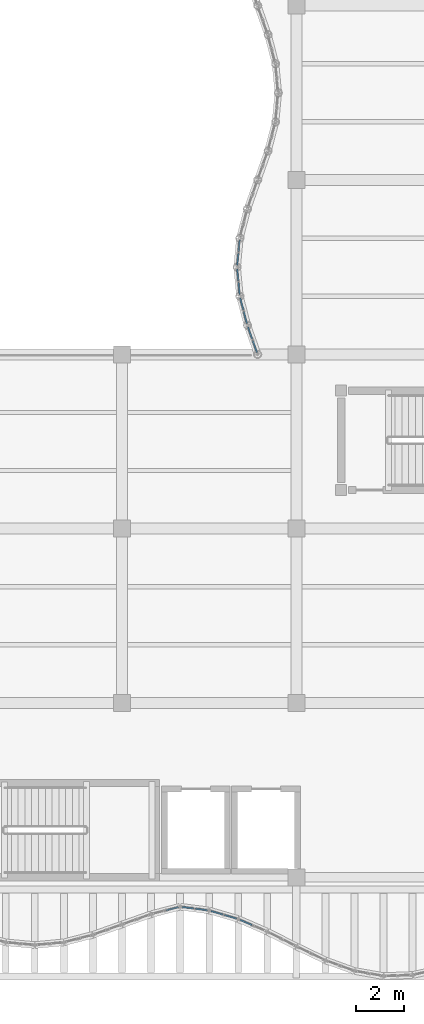
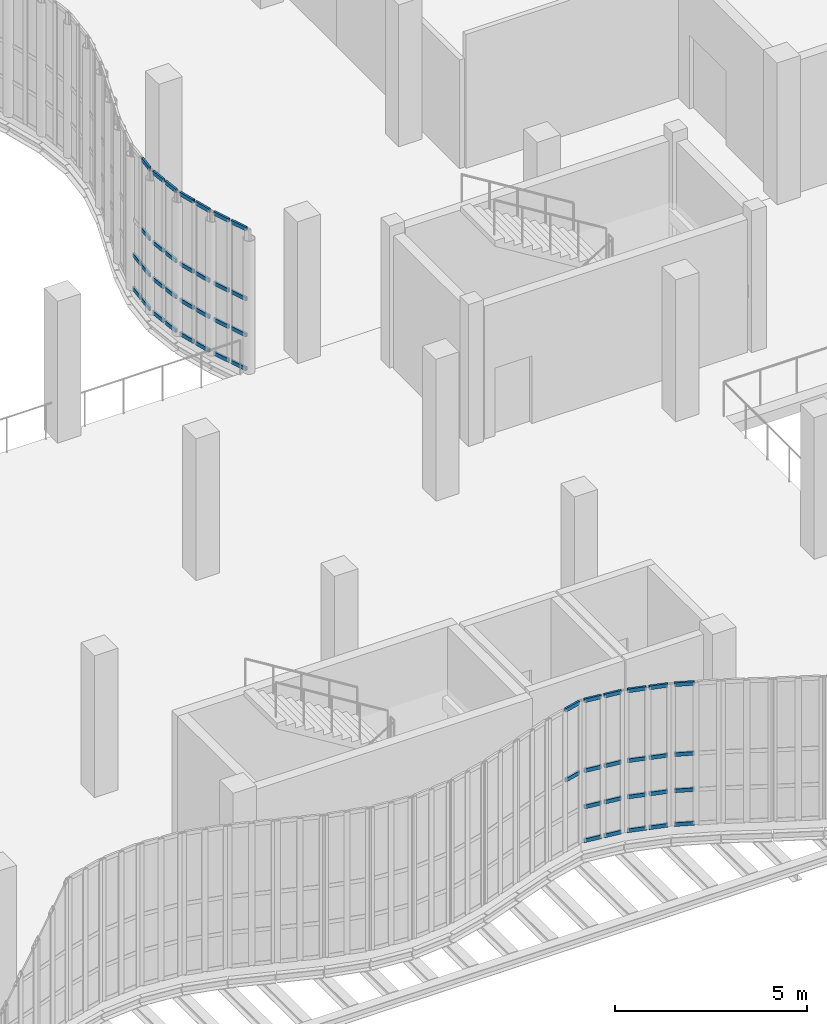
# One storey, part 51 of 108: 52 members, 8 elements without a shape of their own.
"""IFC4 building model written with IfcOpenShell, lengths in metres."""

from ifc_helpers import new_model, si_unit, direction, frame, origin, origin_2d, place, context, subcontext, project, spatial, hollow_rectangle, extrude, material, layer, layer_set, material_profile, profile_set, type_object, element, aggregate, save


model = new_model("IFC4")

# Units and contexts
model_context = context("Model", 3, precision=1e-05, world=origin(), true_north=direction((0.0, 1.0)))
body_context = subcontext(model_context, "Body", "Model", "MODEL_VIEW")
ifc_project = project(units=[si_unit("LENGTHUNIT", "METRE"), si_unit("AREAUNIT", "SQUARE_METRE"), si_unit("VOLUMEUNIT", "CUBIC_METRE"), si_unit("PLANEANGLEUNIT", "RADIAN"), si_unit("MASSUNIT", "GRAM", prefix="KILO"), si_unit("THERMODYNAMICTEMPERATUREUNIT", "KELVIN"), si_unit("POWERUNIT", "WATT")], contexts=[model_context])

# Site, building, storey
site_placement = place(None, origin())
site = spatial("IfcSite", under=ifc_project, at=site_placement, CompositionType="ELEMENT")
building_placement = place(site_placement, origin())
building = spatial("IfcBuilding", under=site, at=building_placement, Name="Kaldorven Railside Theatre", CompositionType="ELEMENT")
storey_placement = place(building_placement, frame((0.0, 0.0, 5.39990234375)))
storey = spatial("IfcBuildingStorey", under=building, at=storey_placement, Name="L01", CompositionType="ELEMENT", Elevation=5.39990234375)

# Curtain wall, members
ifc_material_1 = material(Name="Low-E laminated solar-control glass", Category="glass")
ifc_layer_1 = layer(ifc_material_1, 0.159912109375, Name="Low-E laminated solar-control glass")
ifc_layer_set_1 = layer_set([ifc_layer_1], Name="Low-E laminated solar-control glass")
curtain_wall_type_1 = type_object("IfcCurtainWallType", Name="CWT-02", PredefinedType="USERDEFINED", material=ifc_layer_set_1)
curtain_wall_1_placement = place(storey_placement, origin())
curtain_wall_1 = element("IfcCurtainWall", 1, at=curtain_wall_1_placement, inside=storey, type_object=curtain_wall_type_1, Name="Sinusoidal Fluted Curtain Wall CW-L01-S26", ObjectType="FLUTED GLAZING", PredefinedType="USERDEFINED")
ifc_material_2 = material(Name="Anodised bronze aluminium", Category="aluminium")
ifc_material_profile = material_profile(ifc_material_2, hollow_rectangle(XDim=0.06005859375, YDim=0.1201171875, WallThickness=0.0048828125, at=origin_2d()), Name="RHS 120x60x5")
ifc_profile_set = profile_set([ifc_material_profile], Name="Anodised bronze aluminium")
member_type = type_object("IfcMemberType", Name="CWT-120", PredefinedType="USERDEFINED", material=ifc_profile_set)
member_1_placement = place(storey_placement, frame((67.438720703125, 17.840576171875, 2.25), z_axis=(0.967979318949, 0.251029954561, 0.0), x_axis=(-0.251029954561, 0.967979318949, 0.0)))
member_1 = element("IfcMember", 2, at=member_1_placement, type_object=member_type, Name="CW-L01-S26 transom 2.3", ObjectType="TRANSOM", PredefinedType="USERDEFINED", context=body_context, shape_type="SweptSolid", body=[
    extrude(hollow_rectangle(XDim=0.06005859375, YDim=0.1201171875, WallThickness=0.0048828125, at=origin_2d()), origin(), (0.0, 0.0, 1.0), 0.5),
])
member_2_placement = place(storey_placement, frame((67.438720703125, 17.840576171875, 4.47021484375), z_axis=(0.967979318949, 0.251029954561, 0.0), x_axis=(-0.251029954561, 0.967979318949, 0.0)))
member_2 = element("IfcMember", 3, at=member_2_placement, type_object=member_type, Name="CW-L01-S26 transom 2.4", ObjectType="TRANSOM", PredefinedType="USERDEFINED", context=body_context, shape_type="SweptSolid", body=[
    extrude(hollow_rectangle(XDim=0.06005859375, YDim=0.1201171875, WallThickness=0.0048828125, at=origin_2d()), origin(), (0.0, 0.0, 1.0), 0.5),
])
aggregate(curtain_wall_1, [member_1, member_2])

ifc_layer_2 = layer(ifc_material_1, 0.159912109375, Name="Low-E laminated solar-control glass")
ifc_layer_set_2 = layer_set([ifc_layer_2], Name="Low-E laminated solar-control glass")
curtain_wall_type_2 = type_object("IfcCurtainWallType", Name="CWT-03", PredefinedType="USERDEFINED", material=ifc_layer_set_2)
curtain_wall_2_placement = place(storey_placement, origin())
curtain_wall_2 = element("IfcCurtainWall", 4, at=curtain_wall_2_placement, inside=storey, type_object=curtain_wall_type_2, Name="Sinusoidal Fluted Curtain Wall CW-L01-S27", ObjectType="FLUTED GLAZING", PredefinedType="USERDEFINED")
member_3_placement = place(storey_placement, frame((68.079345703125, 17.975830078125, 0.030029296875), z_axis=(0.991662051315, -0.128865728496, 0.0), x_axis=(0.128865728496, 0.991662051315, 0.0)))
member_3 = element("IfcMember", 5, at=member_3_placement, type_object=member_type, Name="CW-L01-S27 transom 1.1", ObjectType="TRANSOM", PredefinedType="USERDEFINED", context=body_context, shape_type="SweptSolid", body=[
    extrude(hollow_rectangle(XDim=0.06005859375, YDim=0.1201171875, WallThickness=0.0048828125, at=origin_2d()), origin(), (0.0, 0.0, 1.0), 0.485107421875),
])
member_4_placement = place(storey_placement, frame((68.079345703125, 17.975830078125, 1.10009765625), z_axis=(0.991662051315, -0.128865728496, 0.0), x_axis=(0.128865728496, 0.991662051315, 0.0)))
member_4 = element("IfcMember", 6, at=member_4_placement, type_object=member_type, Name="CW-L01-S27 transom 1.2", ObjectType="TRANSOM", PredefinedType="USERDEFINED", context=body_context, shape_type="SweptSolid", body=[
    extrude(hollow_rectangle(XDim=0.06005859375, YDim=0.1201171875, WallThickness=0.0048828125, at=origin_2d()), origin(), (0.0, 0.0, 1.0), 0.485107421875),
])
member_5_placement = place(storey_placement, frame((68.079345703125, 17.975830078125, 2.25), z_axis=(0.991662051315, -0.128865728496, 0.0), x_axis=(0.128865728496, 0.991662051315, 0.0)))
member_5 = element("IfcMember", 7, at=member_5_placement, type_object=member_type, Name="CW-L01-S27 transom 1.3", ObjectType="TRANSOM", PredefinedType="USERDEFINED", context=body_context, shape_type="SweptSolid", body=[
    extrude(hollow_rectangle(XDim=0.06005859375, YDim=0.1201171875, WallThickness=0.0048828125, at=origin_2d()), origin(), (0.0, 0.0, 1.0), 0.485107421875),
])
member_6_placement = place(storey_placement, frame((68.079345703125, 17.975830078125, 4.47021484375), z_axis=(0.991662051315, -0.128865728496, 0.0), x_axis=(0.128865728496, 0.991662051315, 0.0)))
member_6 = element("IfcMember", 8, at=member_6_placement, type_object=member_type, Name="CW-L01-S27 transom 1.4", ObjectType="TRANSOM", PredefinedType="USERDEFINED", context=body_context, shape_type="SweptSolid", body=[
    extrude(hollow_rectangle(XDim=0.06005859375, YDim=0.1201171875, WallThickness=0.0048828125, at=origin_2d()), origin(), (0.0, 0.0, 1.0), 0.485107421875),
])
member_7_placement = place(storey_placement, frame((68.6396484375, 17.903076171875, 0.030029296875), z_axis=(0.991662051315, -0.128865728496, 0.0), x_axis=(0.128865728496, 0.991662051315, 0.0)))
member_7 = element("IfcMember", 9, at=member_7_placement, type_object=member_type, Name="CW-L01-S27 transom 2.1", ObjectType="TRANSOM", PredefinedType="USERDEFINED", context=body_context, shape_type="SweptSolid", body=[
    extrude(hollow_rectangle(XDim=0.06005859375, YDim=0.1201171875, WallThickness=0.0048828125, at=origin_2d()), origin(), (0.0, 0.0, 1.0), 0.485107421875),
])
member_8_placement = place(storey_placement, frame((68.6396484375, 17.903076171875, 1.10009765625), z_axis=(0.991662051315, -0.128865728496, 0.0), x_axis=(0.128865728496, 0.991662051315, 0.0)))
member_8 = element("IfcMember", 10, at=member_8_placement, type_object=member_type, Name="CW-L01-S27 transom 2.2", ObjectType="TRANSOM", PredefinedType="USERDEFINED", context=body_context, shape_type="SweptSolid", body=[
    extrude(hollow_rectangle(XDim=0.06005859375, YDim=0.1201171875, WallThickness=0.0048828125, at=origin_2d()), origin(), (0.0, 0.0, 1.0), 0.485107421875),
])
member_9_placement = place(storey_placement, frame((68.6396484375, 17.903076171875, 2.25), z_axis=(0.991662051315, -0.128865728496, 0.0), x_axis=(0.128865728496, 0.991662051315, 0.0)))
member_9 = element("IfcMember", 11, at=member_9_placement, type_object=member_type, Name="CW-L01-S27 transom 2.3", ObjectType="TRANSOM", PredefinedType="USERDEFINED", context=body_context, shape_type="SweptSolid", body=[
    extrude(hollow_rectangle(XDim=0.06005859375, YDim=0.1201171875, WallThickness=0.0048828125, at=origin_2d()), origin(), (0.0, 0.0, 1.0), 0.485107421875),
])
member_10_placement = place(storey_placement, frame((68.6396484375, 17.903076171875, 4.47021484375), z_axis=(0.991662051315, -0.128865728496, 0.0), x_axis=(0.128865728496, 0.991662051315, 0.0)))
member_10 = element("IfcMember", 12, at=member_10_placement, type_object=member_type, Name="CW-L01-S27 transom 2.4", ObjectType="TRANSOM", PredefinedType="USERDEFINED", context=body_context, shape_type="SweptSolid", body=[
    extrude(hollow_rectangle(XDim=0.06005859375, YDim=0.1201171875, WallThickness=0.0048828125, at=origin_2d()), origin(), (0.0, 0.0, 1.0), 0.485107421875),
])
aggregate(curtain_wall_2, [member_3, member_4, member_5, member_6, member_7, member_8, member_9, member_10])

ifc_layer_3 = layer(ifc_material_1, 0.159912109375, Name="Low-E laminated solar-control glass")
ifc_layer_set_3 = layer_set([ifc_layer_3], Name="Low-E laminated solar-control glass")
curtain_wall_type_3 = type_object("IfcCurtainWallType", Name="CWT-04", PredefinedType="USERDEFINED", material=ifc_layer_set_3)
curtain_wall_3_placement = place(storey_placement, origin())
curtain_wall_3 = element("IfcCurtainWall", 13, at=curtain_wall_3_placement, inside=storey, type_object=curtain_wall_type_3, Name="Sinusoidal Fluted Curtain Wall CW-L01-S28", ObjectType="FLUTED GLAZING", PredefinedType="USERDEFINED")
member_11_placement = place(storey_placement, frame((69.276611328125, 17.8076171875, 0.030029296875), z_axis=(0.959157704719, -0.282871874668, 0.0), x_axis=(0.282871874668, 0.959157704719, 0.0)))
member_11 = element("IfcMember", 14, at=member_11_placement, type_object=member_type, Name="CW-L01-S28 transom 1.1", ObjectType="TRANSOM", PredefinedType="USERDEFINED", context=body_context, shape_type="SweptSolid", body=[
    extrude(hollow_rectangle(XDim=0.06005859375, YDim=0.1201171875, WallThickness=0.0048828125, at=origin_2d()), origin(), (0.0, 0.0, 1.0), 0.505859375),
])
member_12_placement = place(storey_placement, frame((69.276611328125, 17.8076171875, 1.10009765625), z_axis=(0.959157704719, -0.282871874668, 0.0), x_axis=(0.282871874668, 0.959157704719, 0.0)))
member_12 = element("IfcMember", 15, at=member_12_placement, type_object=member_type, Name="CW-L01-S28 transom 1.2", ObjectType="TRANSOM", PredefinedType="USERDEFINED", context=body_context, shape_type="SweptSolid", body=[
    extrude(hollow_rectangle(XDim=0.06005859375, YDim=0.1201171875, WallThickness=0.0048828125, at=origin_2d()), origin(), (0.0, 0.0, 1.0), 0.505859375),
])
member_13_placement = place(storey_placement, frame((69.276611328125, 17.8076171875, 2.25), z_axis=(0.959157704719, -0.282871874668, 0.0), x_axis=(0.282871874668, 0.959157704719, 0.0)))
member_13 = element("IfcMember", 16, at=member_13_placement, type_object=member_type, Name="CW-L01-S28 transom 1.3", ObjectType="TRANSOM", PredefinedType="USERDEFINED", context=body_context, shape_type="SweptSolid", body=[
    extrude(hollow_rectangle(XDim=0.06005859375, YDim=0.1201171875, WallThickness=0.0048828125, at=origin_2d()), origin(), (0.0, 0.0, 1.0), 0.505859375),
])
member_14_placement = place(storey_placement, frame((69.276611328125, 17.8076171875, 4.47021484375), z_axis=(0.959157704719, -0.282871874668, 0.0), x_axis=(0.282871874668, 0.959157704719, 0.0)))
member_14 = element("IfcMember", 17, at=member_14_placement, type_object=member_type, Name="CW-L01-S28 transom 1.4", ObjectType="TRANSOM", PredefinedType="USERDEFINED", context=body_context, shape_type="SweptSolid", body=[
    extrude(hollow_rectangle(XDim=0.06005859375, YDim=0.1201171875, WallThickness=0.0048828125, at=origin_2d()), origin(), (0.0, 0.0, 1.0), 0.505859375),
])
member_15_placement = place(storey_placement, frame((69.83837890625, 17.64208984375, 0.030029296875), z_axis=(0.959119052593, -0.283002902729, 0.0), x_axis=(0.283002902729, 0.959119052593, 0.0)))
member_15 = element("IfcMember", 18, at=member_15_placement, type_object=member_type, Name="CW-L01-S28 transom 2.1", ObjectType="TRANSOM", PredefinedType="USERDEFINED", context=body_context, shape_type="SweptSolid", body=[
    extrude(hollow_rectangle(XDim=0.06005859375, YDim=0.1201171875, WallThickness=0.0048828125, at=origin_2d()), origin(), (0.0, 0.0, 1.0), 0.505615234375),
])
member_16_placement = place(storey_placement, frame((69.83837890625, 17.64208984375, 1.10009765625), z_axis=(0.959119052593, -0.283002902729, 0.0), x_axis=(0.283002902729, 0.959119052593, 0.0)))
member_16 = element("IfcMember", 19, at=member_16_placement, type_object=member_type, Name="CW-L01-S28 transom 2.2", ObjectType="TRANSOM", PredefinedType="USERDEFINED", context=body_context, shape_type="SweptSolid", body=[
    extrude(hollow_rectangle(XDim=0.06005859375, YDim=0.1201171875, WallThickness=0.0048828125, at=origin_2d()), origin(), (0.0, 0.0, 1.0), 0.505615234375),
])
member_17_placement = place(storey_placement, frame((69.83837890625, 17.64208984375, 2.25), z_axis=(0.959119052593, -0.283002902729, 0.0), x_axis=(0.283002902729, 0.959119052593, 0.0)))
member_17 = element("IfcMember", 20, at=member_17_placement, type_object=member_type, Name="CW-L01-S28 transom 2.3", ObjectType="TRANSOM", PredefinedType="USERDEFINED", context=body_context, shape_type="SweptSolid", body=[
    extrude(hollow_rectangle(XDim=0.06005859375, YDim=0.1201171875, WallThickness=0.0048828125, at=origin_2d()), origin(), (0.0, 0.0, 1.0), 0.505615234375),
])
member_18_placement = place(storey_placement, frame((69.83837890625, 17.64208984375, 4.47021484375), z_axis=(0.959119052593, -0.283002902729, 0.0), x_axis=(0.283002902729, 0.959119052593, 0.0)))
member_18 = element("IfcMember", 21, at=member_18_placement, type_object=member_type, Name="CW-L01-S28 transom 2.4", ObjectType="TRANSOM", PredefinedType="USERDEFINED", context=body_context, shape_type="SweptSolid", body=[
    extrude(hollow_rectangle(XDim=0.06005859375, YDim=0.1201171875, WallThickness=0.0048828125, at=origin_2d()), origin(), (0.0, 0.0, 1.0), 0.505615234375),
])
aggregate(curtain_wall_3, [member_11, member_12, member_13, member_14, member_15, member_16, member_17, member_18])

ifc_layer_4 = layer(ifc_material_1, 0.159912109375, Name="Low-E laminated solar-control glass")
ifc_layer_set_4 = layer_set([ifc_layer_4], Name="Low-E laminated solar-control glass")
curtain_wall_type_4 = type_object("IfcCurtainWallType", Name="CWT-05", PredefinedType="USERDEFINED", material=ifc_layer_set_4)
curtain_wall_4_placement = place(storey_placement, origin())
curtain_wall_4 = element("IfcCurtainWall", 22, at=curtain_wall_4_placement, inside=storey, type_object=curtain_wall_type_4, Name="Sinusoidal Fluted Curtain Wall CW-L01-S29", ObjectType="FLUTED GLAZING", PredefinedType="USERDEFINED")
member_19_placement = place(storey_placement, frame((70.473388671875, 17.444580078125, 0.030029296875), z_axis=(0.917004668274, -0.398876470056, 0.0), x_axis=(0.398876470056, 0.917004668274, 0.0)))
member_19 = element("IfcMember", 23, at=member_19_placement, type_object=member_type, Name="CW-L01-S29 transom 1.1", ObjectType="TRANSOM", PredefinedType="USERDEFINED", context=body_context, shape_type="SweptSolid", body=[
    extrude(hollow_rectangle(XDim=0.06005859375, YDim=0.1201171875, WallThickness=0.0048828125, at=origin_2d()), origin(), (0.0, 0.0, 1.0), 0.534423828125),
])
member_20_placement = place(storey_placement, frame((70.473388671875, 17.444580078125, 1.10009765625), z_axis=(0.917004668274, -0.398876470056, 0.0), x_axis=(0.398876470056, 0.917004668274, 0.0)))
member_20 = element("IfcMember", 24, at=member_20_placement, type_object=member_type, Name="CW-L01-S29 transom 1.2", ObjectType="TRANSOM", PredefinedType="USERDEFINED", context=body_context, shape_type="SweptSolid", body=[
    extrude(hollow_rectangle(XDim=0.06005859375, YDim=0.1201171875, WallThickness=0.0048828125, at=origin_2d()), origin(), (0.0, 0.0, 1.0), 0.534423828125),
])
member_21_placement = place(storey_placement, frame((70.473388671875, 17.444580078125, 2.25), z_axis=(0.917004668274, -0.398876470056, 0.0), x_axis=(0.398876470056, 0.917004668274, 0.0)))
member_21 = element("IfcMember", 25, at=member_21_placement, type_object=member_type, Name="CW-L01-S29 transom 1.3", ObjectType="TRANSOM", PredefinedType="USERDEFINED", context=body_context, shape_type="SweptSolid", body=[
    extrude(hollow_rectangle(XDim=0.06005859375, YDim=0.1201171875, WallThickness=0.0048828125, at=origin_2d()), origin(), (0.0, 0.0, 1.0), 0.534423828125),
])
member_22_placement = place(storey_placement, frame((70.473388671875, 17.444580078125, 4.47021484375), z_axis=(0.917004668274, -0.398876470056, 0.0), x_axis=(0.398876470056, 0.917004668274, 0.0)))
member_22 = element("IfcMember", 26, at=member_22_placement, type_object=member_type, Name="CW-L01-S29 transom 1.4", ObjectType="TRANSOM", PredefinedType="USERDEFINED", context=body_context, shape_type="SweptSolid", body=[
    extrude(hollow_rectangle(XDim=0.06005859375, YDim=0.1201171875, WallThickness=0.0048828125, at=origin_2d()), origin(), (0.0, 0.0, 1.0), 0.534423828125),
])
aggregate(curtain_wall_4, [member_19, member_20, member_21, member_22])

ifc_layer_5 = layer(ifc_material_1, 0.159912109375, Name="Low-E laminated solar-control glass")
ifc_layer_set_5 = layer_set([ifc_layer_5], Name="Low-E laminated solar-control glass")
curtain_wall_type_5 = type_object("IfcCurtainWallType", Name="CWT-01", PredefinedType="USERDEFINED", material=ifc_layer_set_5)
curtain_wall_5_placement = place(storey_placement, origin())
curtain_wall_5 = element("IfcCurtainWall", 27, at=curtain_wall_5_placement, inside=storey, type_object=curtain_wall_type_5, Name="Sinusoidal Fluted Curtain Wall CW-L01-W01", ObjectType="FLUTED GLAZING", PredefinedType="USERDEFINED")
member_23_placement = place(storey_placement, frame((71.17333984375, 40.87548828125, 0.030029296875), z_axis=(-0.334179614745, 0.942509408488, 0.0), x_axis=(-0.942509408488, -0.334179614745, 0.0)))
member_23 = element("IfcMember", 28, at=member_23_placement, type_object=member_type, Name="CW-L01-W01 transom 1.1", ObjectType="TRANSOM", PredefinedType="USERDEFINED", context=body_context, shape_type="SweptSolid", body=[
    extrude(hollow_rectangle(XDim=0.06005859375, YDim=0.1201171875, WallThickness=0.0048828125, at=origin_2d()), origin(), (0.0, 0.0, 1.0), 0.5166015625),
])
member_24_placement = place(storey_placement, frame((71.17333984375, 40.87548828125, 1.10009765625), z_axis=(-0.334179614745, 0.942509408488, 0.0), x_axis=(-0.942509408488, -0.334179614745, 0.0)))
member_24 = element("IfcMember", 29, at=member_24_placement, type_object=member_type, Name="CW-L01-W01 transom 1.2", ObjectType="TRANSOM", PredefinedType="USERDEFINED", context=body_context, shape_type="SweptSolid", body=[
    extrude(hollow_rectangle(XDim=0.06005859375, YDim=0.1201171875, WallThickness=0.0048828125, at=origin_2d()), origin(), (0.0, 0.0, 1.0), 0.5166015625),
])
member_25_placement = place(storey_placement, frame((71.17333984375, 40.87548828125, 2.25), z_axis=(-0.334179614745, 0.942509408488, 0.0), x_axis=(-0.942509408488, -0.334179614745, 0.0)))
member_25 = element("IfcMember", 30, at=member_25_placement, type_object=member_type, Name="CW-L01-W01 transom 1.3", ObjectType="TRANSOM", PredefinedType="USERDEFINED", context=body_context, shape_type="SweptSolid", body=[
    extrude(hollow_rectangle(XDim=0.06005859375, YDim=0.1201171875, WallThickness=0.0048828125, at=origin_2d()), origin(), (0.0, 0.0, 1.0), 0.5166015625),
])
member_26_placement = place(storey_placement, frame((71.17333984375, 40.87548828125, 4.47021484375), z_axis=(-0.334179614745, 0.942509408488, 0.0), x_axis=(-0.942509408488, -0.334179614745, 0.0)))
member_26 = element("IfcMember", 31, at=member_26_placement, type_object=member_type, Name="CW-L01-W01 transom 1.4", ObjectType="TRANSOM", PredefinedType="USERDEFINED", context=body_context, shape_type="SweptSolid", body=[
    extrude(hollow_rectangle(XDim=0.06005859375, YDim=0.1201171875, WallThickness=0.0048828125, at=origin_2d()), origin(), (0.0, 0.0, 1.0), 0.5166015625),
])
member_27_placement = place(storey_placement, frame((70.97412109375, 41.437744140625, 0.030029296875), z_axis=(-0.333759628763, 0.942658214948, 0.0), x_axis=(-0.942658214948, -0.333759628763, 0.0)))
member_27 = element("IfcMember", 32, at=member_27_placement, type_object=member_type, Name="CW-L01-W01 transom 2.1", ObjectType="TRANSOM", PredefinedType="USERDEFINED", context=body_context, shape_type="SweptSolid", body=[
    extrude(hollow_rectangle(XDim=0.06005859375, YDim=0.1201171875, WallThickness=0.0048828125, at=origin_2d()), origin(), (0.0, 0.0, 1.0), 0.516357421875),
])
member_28_placement = place(storey_placement, frame((70.97412109375, 41.437744140625, 1.10009765625), z_axis=(-0.333759628763, 0.942658214948, 0.0), x_axis=(-0.942658214948, -0.333759628763, 0.0)))
member_28 = element("IfcMember", 33, at=member_28_placement, type_object=member_type, Name="CW-L01-W01 transom 2.2", ObjectType="TRANSOM", PredefinedType="USERDEFINED", context=body_context, shape_type="SweptSolid", body=[
    extrude(hollow_rectangle(XDim=0.06005859375, YDim=0.1201171875, WallThickness=0.0048828125, at=origin_2d()), origin(), (0.0, 0.0, 1.0), 0.516357421875),
])
member_29_placement = place(storey_placement, frame((70.97412109375, 41.437744140625, 2.25), z_axis=(-0.333759628763, 0.942658214948, 0.0), x_axis=(-0.942658214948, -0.333759628763, 0.0)))
member_29 = element("IfcMember", 34, at=member_29_placement, type_object=member_type, Name="CW-L01-W01 transom 2.3", ObjectType="TRANSOM", PredefinedType="USERDEFINED", context=body_context, shape_type="SweptSolid", body=[
    extrude(hollow_rectangle(XDim=0.06005859375, YDim=0.1201171875, WallThickness=0.0048828125, at=origin_2d()), origin(), (0.0, 0.0, 1.0), 0.516357421875),
])
member_30_placement = place(storey_placement, frame((70.97412109375, 41.437744140625, 4.47021484375), z_axis=(-0.333759628763, 0.942658214948, 0.0), x_axis=(-0.942658214948, -0.333759628763, 0.0)))
member_30 = element("IfcMember", 35, at=member_30_placement, type_object=member_type, Name="CW-L01-W01 transom 2.4", ObjectType="TRANSOM", PredefinedType="USERDEFINED", context=body_context, shape_type="SweptSolid", body=[
    extrude(hollow_rectangle(XDim=0.06005859375, YDim=0.1201171875, WallThickness=0.0048828125, at=origin_2d()), origin(), (0.0, 0.0, 1.0), 0.516357421875),
])
aggregate(curtain_wall_5, [member_23, member_24, member_25, member_26, member_27, member_28, member_29, member_30])

curtain_wall_6_placement = place(storey_placement, origin())
curtain_wall_6 = element("IfcCurtainWall", 36, at=curtain_wall_6_placement, inside=storey, type_object=curtain_wall_type_1, Name="Sinusoidal Fluted Curtain Wall CW-L01-W02", ObjectType="FLUTED GLAZING", PredefinedType="USERDEFINED")
member_31_placement = place(storey_placement, frame((70.7548828125, 42.077392578125, 0.030029296875), z_axis=(-0.251029954561, 0.967979318949, 0.0), x_axis=(-0.967979318949, -0.251029954561, 0.0)))
member_31 = element("IfcMember", 37, at=member_31_placement, type_object=member_type, Name="CW-L01-W02 transom 1.1", ObjectType="TRANSOM", PredefinedType="USERDEFINED", context=body_context, shape_type="SweptSolid", body=[
    extrude(hollow_rectangle(XDim=0.06005859375, YDim=0.1201171875, WallThickness=0.0048828125, at=origin_2d()), origin(), (0.0, 0.0, 1.0), 0.5),
])
member_32_placement = place(storey_placement, frame((70.7548828125, 42.077392578125, 1.10009765625), z_axis=(-0.251029954561, 0.967979318949, 0.0), x_axis=(-0.967979318949, -0.251029954561, 0.0)))
member_32 = element("IfcMember", 38, at=member_32_placement, type_object=member_type, Name="CW-L01-W02 transom 1.2", ObjectType="TRANSOM", PredefinedType="USERDEFINED", context=body_context, shape_type="SweptSolid", body=[
    extrude(hollow_rectangle(XDim=0.06005859375, YDim=0.1201171875, WallThickness=0.0048828125, at=origin_2d()), origin(), (0.0, 0.0, 1.0), 0.5),
])
member_33_placement = place(storey_placement, frame((70.7548828125, 42.077392578125, 2.25), z_axis=(-0.251029954561, 0.967979318949, 0.0), x_axis=(-0.967979318949, -0.251029954561, 0.0)))
member_33 = element("IfcMember", 39, at=member_33_placement, type_object=member_type, Name="CW-L01-W02 transom 1.3", ObjectType="TRANSOM", PredefinedType="USERDEFINED", context=body_context, shape_type="SweptSolid", body=[
    extrude(hollow_rectangle(XDim=0.06005859375, YDim=0.1201171875, WallThickness=0.0048828125, at=origin_2d()), origin(), (0.0, 0.0, 1.0), 0.5),
])
member_34_placement = place(storey_placement, frame((70.7548828125, 42.077392578125, 4.47021484375), z_axis=(-0.251029954561, 0.967979318949, 0.0), x_axis=(-0.967979318949, -0.251029954561, 0.0)))
member_34 = element("IfcMember", 40, at=member_34_placement, type_object=member_type, Name="CW-L01-W02 transom 1.4", ObjectType="TRANSOM", PredefinedType="USERDEFINED", context=body_context, shape_type="SweptSolid", body=[
    extrude(hollow_rectangle(XDim=0.06005859375, YDim=0.1201171875, WallThickness=0.0048828125, at=origin_2d()), origin(), (0.0, 0.0, 1.0), 0.5),
])
member_35_placement = place(storey_placement, frame((70.609375, 42.638671875, 0.030029296875), z_axis=(-0.251029954561, 0.967979318949, 0.0), x_axis=(-0.967979318949, -0.251029954561, 0.0)))
member_35 = element("IfcMember", 41, at=member_35_placement, type_object=member_type, Name="CW-L01-W02 transom 2.1", ObjectType="TRANSOM", PredefinedType="USERDEFINED", context=body_context, shape_type="SweptSolid", body=[
    extrude(hollow_rectangle(XDim=0.06005859375, YDim=0.1201171875, WallThickness=0.0048828125, at=origin_2d()), origin(), (0.0, 0.0, 1.0), 0.5),
])
member_36_placement = place(storey_placement, frame((70.609375, 42.638671875, 1.10009765625), z_axis=(-0.251029954561, 0.967979318949, 0.0), x_axis=(-0.967979318949, -0.251029954561, 0.0)))
member_36 = element("IfcMember", 42, at=member_36_placement, type_object=member_type, Name="CW-L01-W02 transom 2.2", ObjectType="TRANSOM", PredefinedType="USERDEFINED", context=body_context, shape_type="SweptSolid", body=[
    extrude(hollow_rectangle(XDim=0.06005859375, YDim=0.1201171875, WallThickness=0.0048828125, at=origin_2d()), origin(), (0.0, 0.0, 1.0), 0.5),
])
member_37_placement = place(storey_placement, frame((70.609375, 42.638671875, 2.25), z_axis=(-0.251029954561, 0.967979318949, 0.0), x_axis=(-0.967979318949, -0.251029954561, 0.0)))
member_37 = element("IfcMember", 43, at=member_37_placement, type_object=member_type, Name="CW-L01-W02 transom 2.3", ObjectType="TRANSOM", PredefinedType="USERDEFINED", context=body_context, shape_type="SweptSolid", body=[
    extrude(hollow_rectangle(XDim=0.06005859375, YDim=0.1201171875, WallThickness=0.0048828125, at=origin_2d()), origin(), (0.0, 0.0, 1.0), 0.5),
])
member_38_placement = place(storey_placement, frame((70.609375, 42.638671875, 4.47021484375), z_axis=(-0.251029954561, 0.967979318949, 0.0), x_axis=(-0.967979318949, -0.251029954561, 0.0)))
member_38 = element("IfcMember", 44, at=member_38_placement, type_object=member_type, Name="CW-L01-W02 transom 2.4", ObjectType="TRANSOM", PredefinedType="USERDEFINED", context=body_context, shape_type="SweptSolid", body=[
    extrude(hollow_rectangle(XDim=0.06005859375, YDim=0.1201171875, WallThickness=0.0048828125, at=origin_2d()), origin(), (0.0, 0.0, 1.0), 0.5),
])
aggregate(curtain_wall_6, [member_31, member_32, member_33, member_34, member_35, member_36, member_37, member_38])

curtain_wall_7_placement = place(storey_placement, origin())
curtain_wall_7 = element("IfcCurtainWall", 45, at=curtain_wall_7_placement, inside=storey, type_object=curtain_wall_type_2, Name="Sinusoidal Fluted Curtain Wall CW-L01-W03", ObjectType="FLUTED GLAZING", PredefinedType="USERDEFINED")
member_39_placement = place(storey_placement, frame((70.456298828125, 43.279541015625, 0.030029296875), z_axis=(-0.094546633378, 0.995520433802, 0.0), x_axis=(-0.995520433802, -0.094546633378, 0.0)))
member_39 = element("IfcMember", 46, at=member_39_placement, type_object=member_type, Name="CW-L01-W03 transom 1.1", ObjectType="TRANSOM", PredefinedType="USERDEFINED", context=body_context, shape_type="SweptSolid", body=[
    extrude(hollow_rectangle(XDim=0.06005859375, YDim=0.1201171875, WallThickness=0.0048828125, at=origin_2d()), origin(), (0.0, 0.0, 1.0), 0.48291015625),
])
member_40_placement = place(storey_placement, frame((70.456298828125, 43.279541015625, 1.10009765625), z_axis=(-0.094546633378, 0.995520433802, 0.0), x_axis=(-0.995520433802, -0.094546633378, 0.0)))
member_40 = element("IfcMember", 47, at=member_40_placement, type_object=member_type, Name="CW-L01-W03 transom 1.2", ObjectType="TRANSOM", PredefinedType="USERDEFINED", context=body_context, shape_type="SweptSolid", body=[
    extrude(hollow_rectangle(XDim=0.06005859375, YDim=0.1201171875, WallThickness=0.0048828125, at=origin_2d()), origin(), (0.0, 0.0, 1.0), 0.48291015625),
])
member_41_placement = place(storey_placement, frame((70.456298828125, 43.279541015625, 2.25), z_axis=(-0.094546633378, 0.995520433802, 0.0), x_axis=(-0.995520433802, -0.094546633378, 0.0)))
member_41 = element("IfcMember", 48, at=member_41_placement, type_object=member_type, Name="CW-L01-W03 transom 1.3", ObjectType="TRANSOM", PredefinedType="USERDEFINED", context=body_context, shape_type="SweptSolid", body=[
    extrude(hollow_rectangle(XDim=0.06005859375, YDim=0.1201171875, WallThickness=0.0048828125, at=origin_2d()), origin(), (0.0, 0.0, 1.0), 0.48291015625),
])
member_42_placement = place(storey_placement, frame((70.456298828125, 43.279541015625, 4.47021484375), z_axis=(-0.094546633378, 0.995520433802, 0.0), x_axis=(-0.995520433802, -0.094546633378, 0.0)))
member_42 = element("IfcMember", 49, at=member_42_placement, type_object=member_type, Name="CW-L01-W03 transom 1.4", ObjectType="TRANSOM", PredefinedType="USERDEFINED", context=body_context, shape_type="SweptSolid", body=[
    extrude(hollow_rectangle(XDim=0.06005859375, YDim=0.1201171875, WallThickness=0.0048828125, at=origin_2d()), origin(), (0.0, 0.0, 1.0), 0.48291015625),
])
member_43_placement = place(storey_placement, frame((70.403076171875, 43.83984375, 0.030029296875), z_axis=(-0.094092884485, 0.995563422937, 0.0), x_axis=(-0.995563422937, -0.094092884485, 0.0)))
member_43 = element("IfcMember", 50, at=member_43_placement, type_object=member_type, Name="CW-L01-W03 transom 2.1", ObjectType="TRANSOM", PredefinedType="USERDEFINED", context=body_context, shape_type="SweptSolid", body=[
    extrude(hollow_rectangle(XDim=0.06005859375, YDim=0.1201171875, WallThickness=0.0048828125, at=origin_2d()), origin(), (0.0, 0.0, 1.0), 0.482666015625),
])
member_44_placement = place(storey_placement, frame((70.403076171875, 43.83984375, 1.10009765625), z_axis=(-0.094092884485, 0.995563422937, 0.0), x_axis=(-0.995563422937, -0.094092884485, 0.0)))
member_44 = element("IfcMember", 51, at=member_44_placement, type_object=member_type, Name="CW-L01-W03 transom 2.2", ObjectType="TRANSOM", PredefinedType="USERDEFINED", context=body_context, shape_type="SweptSolid", body=[
    extrude(hollow_rectangle(XDim=0.06005859375, YDim=0.1201171875, WallThickness=0.0048828125, at=origin_2d()), origin(), (0.0, 0.0, 1.0), 0.482666015625),
])
member_45_placement = place(storey_placement, frame((70.403076171875, 43.83984375, 2.25), z_axis=(-0.094092884485, 0.995563422937, 0.0), x_axis=(-0.995563422937, -0.094092884485, 0.0)))
member_45 = element("IfcMember", 52, at=member_45_placement, type_object=member_type, Name="CW-L01-W03 transom 2.3", ObjectType="TRANSOM", PredefinedType="USERDEFINED", context=body_context, shape_type="SweptSolid", body=[
    extrude(hollow_rectangle(XDim=0.06005859375, YDim=0.1201171875, WallThickness=0.0048828125, at=origin_2d()), origin(), (0.0, 0.0, 1.0), 0.482666015625),
])
member_46_placement = place(storey_placement, frame((70.403076171875, 43.83984375, 4.47021484375), z_axis=(-0.094092884485, 0.995563422937, 0.0), x_axis=(-0.995563422937, -0.094092884485, 0.0)))
member_46 = element("IfcMember", 53, at=member_46_placement, type_object=member_type, Name="CW-L01-W03 transom 2.4", ObjectType="TRANSOM", PredefinedType="USERDEFINED", context=body_context, shape_type="SweptSolid", body=[
    extrude(hollow_rectangle(XDim=0.06005859375, YDim=0.1201171875, WallThickness=0.0048828125, at=origin_2d()), origin(), (0.0, 0.0, 1.0), 0.482666015625),
])
aggregate(curtain_wall_7, [member_39, member_40, member_41, member_42, member_43, member_44, member_45, member_46])

curtain_wall_8_placement = place(storey_placement, origin())
curtain_wall_8 = element("IfcCurtainWall", 54, at=curtain_wall_8_placement, inside=storey, type_object=curtain_wall_type_2, Name="Sinusoidal Fluted Curtain Wall CW-L01-W04", ObjectType="FLUTED GLAZING", PredefinedType="USERDEFINED")
member_47_placement = place(storey_placement, frame((70.357666015625, 44.479736328125, 0.030029296875), z_axis=(0.094092884485, 0.995563422937, 0.0), x_axis=(-0.995563422937, 0.094092884485, 0.0)))
member_47 = element("IfcMember", 55, at=member_47_placement, type_object=member_type, Name="CW-L01-W04 transom 1.1", ObjectType="TRANSOM", PredefinedType="USERDEFINED", context=body_context, shape_type="SweptSolid", body=[
    extrude(hollow_rectangle(XDim=0.06005859375, YDim=0.1201171875, WallThickness=0.0048828125, at=origin_2d()), origin(), (0.0, 0.0, 1.0), 0.482666015625),
])
member_48_placement = place(storey_placement, frame((70.357666015625, 44.479736328125, 1.10009765625), z_axis=(0.094092884485, 0.995563422937, 0.0), x_axis=(-0.995563422937, 0.094092884485, 0.0)))
member_48 = element("IfcMember", 56, at=member_48_placement, type_object=member_type, Name="CW-L01-W04 transom 1.2", ObjectType="TRANSOM", PredefinedType="USERDEFINED", context=body_context, shape_type="SweptSolid", body=[
    extrude(hollow_rectangle(XDim=0.06005859375, YDim=0.1201171875, WallThickness=0.0048828125, at=origin_2d()), origin(), (0.0, 0.0, 1.0), 0.482666015625),
])
member_49_placement = place(storey_placement, frame((70.357666015625, 44.479736328125, 2.25), z_axis=(0.094092884485, 0.995563422937, 0.0), x_axis=(-0.995563422937, 0.094092884485, 0.0)))
member_49 = element("IfcMember", 57, at=member_49_placement, type_object=member_type, Name="CW-L01-W04 transom 1.3", ObjectType="TRANSOM", PredefinedType="USERDEFINED", context=body_context, shape_type="SweptSolid", body=[
    extrude(hollow_rectangle(XDim=0.06005859375, YDim=0.1201171875, WallThickness=0.0048828125, at=origin_2d()), origin(), (0.0, 0.0, 1.0), 0.482666015625),
])
member_50_placement = place(storey_placement, frame((70.357666015625, 44.479736328125, 4.47021484375), z_axis=(0.094092884485, 0.995563422937, 0.0), x_axis=(-0.995563422937, 0.094092884485, 0.0)))
member_50 = element("IfcMember", 58, at=member_50_placement, type_object=member_type, Name="CW-L01-W04 transom 1.4", ObjectType="TRANSOM", PredefinedType="USERDEFINED", context=body_context, shape_type="SweptSolid", body=[
    extrude(hollow_rectangle(XDim=0.06005859375, YDim=0.1201171875, WallThickness=0.0048828125, at=origin_2d()), origin(), (0.0, 0.0, 1.0), 0.482666015625),
])
member_51_placement = place(storey_placement, frame((70.41064453125, 45.039794921875, 0.030029296875), z_axis=(0.094594245591, 0.995515910823, 0.0), x_axis=(-0.995515910823, 0.094594245591, 0.0)))
member_51 = element("IfcMember", 59, at=member_51_placement, type_object=member_type, Name="CW-L01-W04 transom 2.1", ObjectType="TRANSOM", PredefinedType="USERDEFINED", context=body_context, shape_type="SweptSolid", body=[
    extrude(hollow_rectangle(XDim=0.06005859375, YDim=0.1201171875, WallThickness=0.0048828125, at=origin_2d()), origin(), (0.0, 0.0, 1.0), 0.482666015625),
])
member_52_placement = place(storey_placement, frame((70.41064453125, 45.039794921875, 1.10009765625), z_axis=(0.094594245591, 0.995515910823, 0.0), x_axis=(-0.995515910823, 0.094594245591, 0.0)))
member_52 = element("IfcMember", 60, at=member_52_placement, type_object=member_type, Name="CW-L01-W04 transom 2.2", ObjectType="TRANSOM", PredefinedType="USERDEFINED", context=body_context, shape_type="SweptSolid", body=[
    extrude(hollow_rectangle(XDim=0.06005859375, YDim=0.1201171875, WallThickness=0.0048828125, at=origin_2d()), origin(), (0.0, 0.0, 1.0), 0.482666015625),
])
aggregate(curtain_wall_8, [member_47, member_48, member_49, member_50, member_51, member_52])

save(model, "model.ifc")
